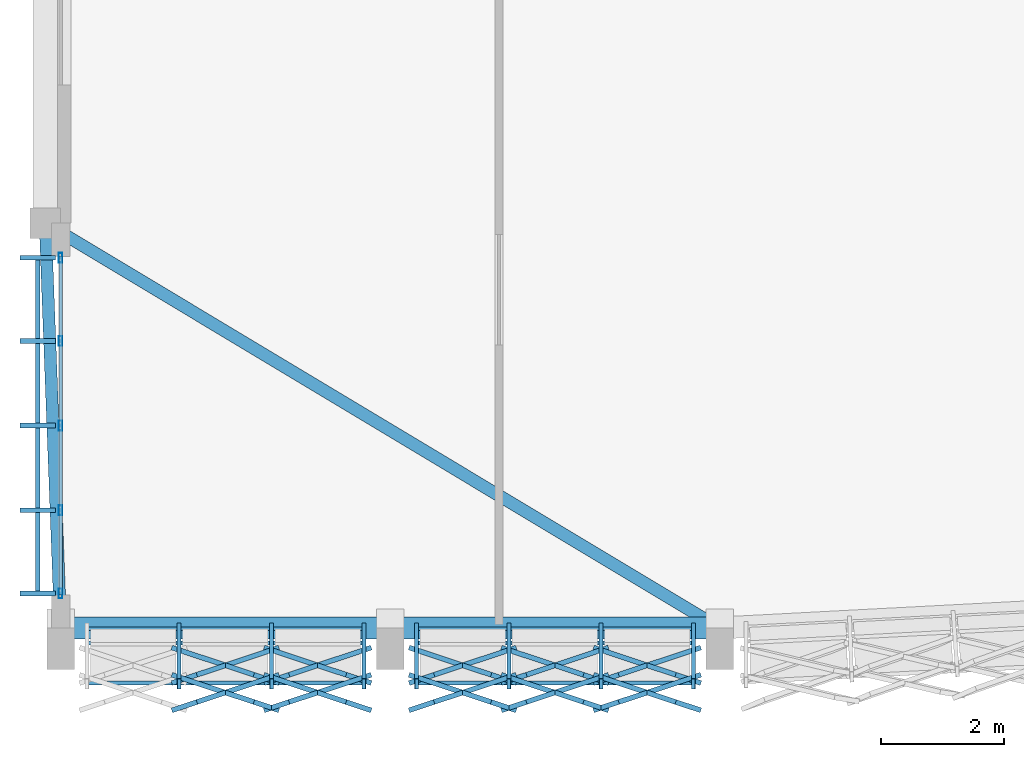
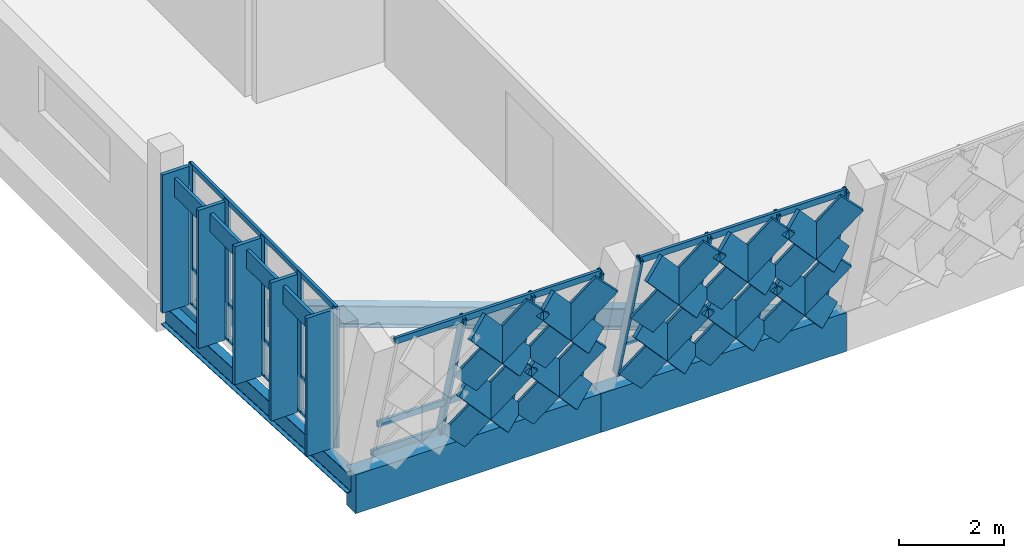
# One storey, part 2 of 24: 47 members, 4 beams, 3 elements without a shape of their own.
"""IFC4 building model written with IfcOpenShell, lengths in metres."""

from ifc_helpers import new_model, si_unit, direction, frame, origin, origin_2d, place, context, subcontext, project, spatial, rectangle, hollow_rectangle, i_section, extrude, material, material_profile, profile_set, type_object, element, aggregate, save


model = new_model("IFC4")

# Units and contexts
model_context = context("Model", 3, precision=1e-05, world=origin(), true_north=direction((0.0, 1.0)))
body_context = subcontext(model_context, "Body", "Model", "MODEL_VIEW")
ifc_project = project(units=[si_unit("LENGTHUNIT", "METRE"), si_unit("AREAUNIT", "SQUARE_METRE"), si_unit("VOLUMEUNIT", "CUBIC_METRE"), si_unit("PLANEANGLEUNIT", "RADIAN"), si_unit("MASSUNIT", "GRAM", prefix="KILO")], contexts=[model_context])

# Site, building, storey
site_placement = place(None, origin())
site = spatial("IfcSite", under=ifc_project, at=site_placement, CompositionType="ELEMENT")
building_placement = place(site_placement, origin())
building = spatial("IfcBuilding", under=site, at=building_placement, Name="Chiffa Square Polytechnic", CompositionType="ELEMENT")
storey_placement = place(building_placement, frame((0.0, 0.0, 26.39990234375)))
storey = spatial("IfcBuildingStorey", under=building, at=storey_placement, Name="L06", CompositionType="ELEMENT", Elevation=26.39990234375)

# Beams
ifc_material_1 = material(Name="Steel S355", Category="steel")
ifc_material_profile_1 = material_profile(ifc_material_1, i_section(OverallWidth=0.199951171875, OverallDepth=0.5, WebThickness=0.01025390625, FlangeThickness=0.01611328125, FilletRadius=0.02099609375, at=origin_2d()), Name="IPE 500")
ifc_profile_set_1 = profile_set([ifc_material_profile_1], Name="Steel S355")
beam_type_1 = type_object("IfcBeamType", Name="BM-STL-IPE500", PredefinedType="BEAM", material=ifc_profile_set_1)
beam_1_placement = place(storey_placement, frame((112.449951171875, 0.595947265625, -0.469970703125), z_axis=(-0.037828726775, 0.999284237557, 0.0), x_axis=(-0.999284237557, -0.037828726775, 0.0)))
element("IfcBeam", 1, at=beam_1_placement, inside=storey, type_object=beam_type_1, Name="Prow radial tie girder BM-V1-RAD-L06-01", PredefinedType="BEAM", context=body_context, shape_type="SweptSolid", body=[
    extrude(i_section(OverallWidth=0.199951171875, OverallDepth=0.5, WebThickness=0.01025390625, FlangeThickness=0.01611328125, FilletRadius=0.02099609375, at=origin_2d()), origin(), (0.0, 0.0, 1.0), 6.608642578125),
])
beam_2_placement = place(storey_placement, frame((123.199951171875, 0.595947265625, -0.469970703125), z_axis=(-0.857355217073, 0.514725200236, 0.0), x_axis=(-0.514725200236, -0.857355217073, 0.0)))
element("IfcBeam", 2, at=beam_2_placement, inside=storey, type_object=beam_type_1, Name="Prow radial tie girder BM-V1-RAD-L06-03", PredefinedType="BEAM", context=body_context, shape_type="SweptSolid", body=[
    extrude(i_section(OverallWidth=0.199951171875, OverallDepth=0.5, WebThickness=0.01025390625, FlangeThickness=0.01611328125, FilletRadius=0.02099609375, at=origin_2d()), origin(), (0.0, 0.0, 1.0), 12.830078125),
])

# Curtain wall, members
ifc_material_2 = material(Name="Aluminium EN AW-6060 T66 and glulam shading", Category="wood")
curtain_wall_type_1 = type_object("IfcCurtainWallType", Name="CW-VERT-450X380", PredefinedType="USERDEFINED", material=ifc_material_2)
curtain_wall_1_placement = place(storey_placement, origin())
curtain_wall_1 = element("IfcCurtainWall", 3, at=curtain_wall_1_placement, inside=storey, type_object=curtain_wall_type_1, Name="Curtain wall CW-V1-L06-146", ObjectType="CURTAIN WALL", PredefinedType="USERDEFINED")
ifc_material_3 = material(Name="Aluminium EN AW-6060 T66", Category="aluminium")
ifc_material_profile_2 = material_profile(ifc_material_3, hollow_rectangle(XDim=0.06005859375, YDim=0.159912109375, WallThickness=0.00390625, at=origin_2d()), Name="ALU 60x160x4")
ifc_profile_set_2 = profile_set([ifc_material_profile_2], Name="Aluminium EN AW-6060 T66")
member_type_1 = type_object("IfcMemberType", Name="CWM-ALU-65X150", PredefinedType="MULLION", material=ifc_profile_set_2)
member_1_placement = place(storey_placement, frame((112.449951171875, 6.635009765625, 0.0), z_axis=(0.0, 0.0, 1.0), x_axis=(1.0, 0.0, 0.0)))
member_1 = element("IfcMember", 4, at=member_1_placement, type_object=member_type_1, Name="Curtain wall mullion CW-V1-L06-146-M00", PredefinedType="MULLION", context=body_context, shape_type="SweptSolid", body=[
    extrude(hollow_rectangle(XDim=0.06005859375, YDim=0.159912109375, WallThickness=0.00390625, at=origin_2d()), origin(), (0.0, 0.0, 1.0), 3.22021484375),
])
member_2_placement = place(storey_placement, frame((112.449951171875, 5.279052734375, 0.0), z_axis=(0.0, 0.0, 1.0), x_axis=(1.0, 0.0, 0.0)))
member_2 = element("IfcMember", 5, at=member_2_placement, type_object=member_type_1, Name="Curtain wall mullion CW-V1-L06-146-M01", PredefinedType="MULLION", context=body_context, shape_type="SweptSolid", body=[
    extrude(hollow_rectangle(XDim=0.06005859375, YDim=0.159912109375, WallThickness=0.00390625, at=origin_2d()), origin(), (0.0, 0.0, 1.0), 3.22021484375),
])
member_3_placement = place(storey_placement, frame((112.449951171875, 3.89794921875, 0.0), z_axis=(0.0, 0.0, 1.0), x_axis=(1.0, 0.0, 0.0)))
member_3 = element("IfcMember", 6, at=member_3_placement, type_object=member_type_1, Name="Curtain wall mullion CW-V1-L06-146-M02", PredefinedType="MULLION", context=body_context, shape_type="SweptSolid", body=[
    extrude(hollow_rectangle(XDim=0.06005859375, YDim=0.159912109375, WallThickness=0.00390625, at=origin_2d()), origin(), (0.0, 0.0, 1.0), 3.22021484375),
])
member_4_placement = place(storey_placement, frame((112.449951171875, 2.51708984375, 0.0), z_axis=(0.0, 0.0, 1.0), x_axis=(1.0, 0.0, 0.0)))
member_4 = element("IfcMember", 7, at=member_4_placement, type_object=member_type_1, Name="Curtain wall mullion CW-V1-L06-146-M03", PredefinedType="MULLION", context=body_context, shape_type="SweptSolid", body=[
    extrude(hollow_rectangle(XDim=0.06005859375, YDim=0.159912109375, WallThickness=0.00390625, at=origin_2d()), origin(), (0.0, 0.0, 1.0), 3.22021484375),
])
member_5_placement = place(storey_placement, frame((112.449951171875, 1.160888671875, 0.0), z_axis=(0.0, 0.0, 1.0), x_axis=(1.0, 0.0, 0.0)))
member_5 = element("IfcMember", 8, at=member_5_placement, type_object=member_type_1, Name="Curtain wall mullion CW-V1-L06-146-M04", PredefinedType="MULLION", context=body_context, shape_type="SweptSolid", body=[
    extrude(hollow_rectangle(XDim=0.06005859375, YDim=0.159912109375, WallThickness=0.00390625, at=origin_2d()), origin(), (0.0, 0.0, 1.0), 3.22021484375),
])

curtain_wall_type_2 = type_object("IfcCurtainWallType", Name="CW-PROW-LEAN-150", PredefinedType="USERDEFINED", material=ifc_material_2)
curtain_wall_2_placement = place(storey_placement, origin())
curtain_wall_2 = element("IfcCurtainWall", 9, at=curtain_wall_2_placement, inside=storey, type_object=curtain_wall_type_2, Name="Outward-leaning diamond-fin prow curtain wall CW-V1-L06-095", ObjectType="CURTAIN WALL", PredefinedType="USERDEFINED")
ifc_material_profile_3 = material_profile(ifc_material_3, hollow_rectangle(XDim=0.06494140625, YDim=0.179931640625, WallThickness=0.00390625, at=origin_2d()), Name="ALU 65x180x4")
ifc_profile_set_3 = profile_set([ifc_material_profile_3], Name="Aluminium EN AW-6060 T66")
member_type_2 = type_object("IfcMemberType", Name="CWM-ALU-75X180", PredefinedType="MULLION", material=ifc_profile_set_3)
member_6_placement = place(storey_placement, frame((114.385009765625, 0.595947265625, 0.0), z_axis=(0.0, -0.27231736032, 0.962207490757), x_axis=(1.0, 0.0, 0.0)))
member_6 = element("IfcMember", 10, at=member_6_placement, type_object=member_type_2, Name="Leaning prow mullion CW-V1-L06-095-M01", PredefinedType="MULLION", context=body_context, shape_type="SweptSolid", body=[
    extrude(hollow_rectangle(XDim=0.06494140625, YDim=0.179931640625, WallThickness=0.00390625, at=origin_2d()), origin(), (0.0, 0.0, 1.0), 3.34130859375),
])
member_7_placement = place(storey_placement, frame((115.889892578125, 0.595947265625, 0.0), z_axis=(0.0, -0.27231736032, 0.962207490757), x_axis=(1.0, 0.0, 0.0)))
member_7 = element("IfcMember", 11, at=member_7_placement, type_object=member_type_2, Name="Leaning prow mullion CW-V1-L06-095-M02", PredefinedType="MULLION", context=body_context, shape_type="SweptSolid", body=[
    extrude(hollow_rectangle(XDim=0.06494140625, YDim=0.179931640625, WallThickness=0.00390625, at=origin_2d()), origin(), (0.0, 0.0, 1.0), 3.34130859375),
])
member_8_placement = place(storey_placement, frame((117.39501953125, 0.595947265625, 0.0), z_axis=(0.0, -0.27231736032, 0.962207490757), x_axis=(1.0, 0.0, 0.0)))
member_8 = element("IfcMember", 12, at=member_8_placement, type_object=member_type_2, Name="Leaning prow mullion CW-V1-L06-095-M03", PredefinedType="MULLION", context=body_context, shape_type="SweptSolid", body=[
    extrude(hollow_rectangle(XDim=0.06494140625, YDim=0.179931640625, WallThickness=0.00390625, at=origin_2d()), origin(), (0.0, 0.0, 1.0), 3.34130859375),
])

curtain_wall_type_3 = type_object("IfcCurtainWallType", Name="CW-PROW-LEAN-300", PredefinedType="USERDEFINED", material=ifc_material_2)
curtain_wall_3_placement = place(storey_placement, origin())
curtain_wall_3 = element("IfcCurtainWall", 13, at=curtain_wall_3_placement, inside=storey, type_object=curtain_wall_type_3, Name="Outward-leaning diamond-fin prow curtain wall CW-V1-L06-096", ObjectType="CURTAIN WALL", PredefinedType="USERDEFINED")
member_9_placement = place(storey_placement, frame((118.2548828125, 0.595947265625, 0.0), z_axis=(0.0, -0.27231736032, 0.962207490757), x_axis=(1.0, 0.0, 0.0)))
member_9 = element("IfcMember", 14, at=member_9_placement, type_object=member_type_2, Name="Leaning prow mullion CW-V1-L06-096-M00", PredefinedType="MULLION", context=body_context, shape_type="SweptSolid", body=[
    extrude(hollow_rectangle(XDim=0.06494140625, YDim=0.179931640625, WallThickness=0.00390625, at=origin_2d()), origin(), (0.0, 0.0, 1.0), 3.34130859375),
])
member_10_placement = place(storey_placement, frame((119.760009765625, 0.595947265625, 0.0), z_axis=(0.0, -0.27231736032, 0.962207490757), x_axis=(1.0, 0.0, 0.0)))
member_10 = element("IfcMember", 15, at=member_10_placement, type_object=member_type_2, Name="Leaning prow mullion CW-V1-L06-096-M01", PredefinedType="MULLION", context=body_context, shape_type="SweptSolid", body=[
    extrude(hollow_rectangle(XDim=0.06494140625, YDim=0.179931640625, WallThickness=0.00390625, at=origin_2d()), origin(), (0.0, 0.0, 1.0), 3.34130859375),
])
member_11_placement = place(storey_placement, frame((121.264892578125, 0.595947265625, 0.0), z_axis=(0.0, -0.27231736032, 0.962207490757), x_axis=(1.0, 0.0, 0.0)))
member_11 = element("IfcMember", 16, at=member_11_placement, type_object=member_type_2, Name="Leaning prow mullion CW-V1-L06-096-M02", PredefinedType="MULLION", context=body_context, shape_type="SweptSolid", body=[
    extrude(hollow_rectangle(XDim=0.06494140625, YDim=0.179931640625, WallThickness=0.00390625, at=origin_2d()), origin(), (0.0, 0.0, 1.0), 3.34130859375),
])
member_12_placement = place(storey_placement, frame((122.77001953125, 0.595947265625, 0.0), z_axis=(0.0, -0.27231736032, 0.962207490757), x_axis=(1.0, 0.0, 0.0)))
member_12 = element("IfcMember", 17, at=member_12_placement, type_object=member_type_2, Name="Leaning prow mullion CW-V1-L06-096-M03", PredefinedType="MULLION", context=body_context, shape_type="SweptSolid", body=[
    extrude(hollow_rectangle(XDim=0.06494140625, YDim=0.179931640625, WallThickness=0.00390625, at=origin_2d()), origin(), (0.0, 0.0, 1.0), 3.34130859375),
])

# Member
ifc_material_4 = material(Name="Glulam GL28h", Category="wood")
ifc_material_profile_4 = material_profile(ifc_material_4, rectangle(XDim=0.080078125, YDim=0.580078125, at=origin_2d()), Name="GL28h 80x580")
ifc_profile_set_4 = profile_set([ifc_material_profile_4], Name="Glulam GL28h")
member_type_3 = type_object("IfcMemberType", Name="CWM-GL-80X580", PredefinedType="MULLION", material=ifc_profile_set_4)
member_13_placement = place(storey_placement, frame((114.468017578125, 0.2099609375, 0.0400390625), z_axis=(0.634787239508, -0.210438220537, 0.743478927674), x_axis=(0.314669569552, 0.949201275809, 0.0)))
member_13 = element("IfcMember", 18, at=member_13_placement, type_object=member_type_3, Name="Diamond glulam fin CW-V1-L06-095-DF03A", PredefinedType="MULLION", context=body_context, shape_type="SweptSolid", body=[
    extrude(rectangle(XDim=0.080078125, YDim=0.580078125, at=origin_2d()), origin(), (0.0, 0.0, 1.0), 2.109130859375),
])

member_14_placement = place(storey_placement, frame((115.806884765625, 0.2099609375, 0.0400390625), z_axis=(-0.634787239508, -0.210438220537, 0.743478927674), x_axis=(0.314669569552, -0.949201275809, 0.0)))
member_14 = element("IfcMember", 19, at=member_14_placement, type_object=member_type_3, Name="Diamond glulam fin CW-V1-L06-095-DF03B", PredefinedType="MULLION", context=body_context, shape_type="SweptSolid", body=[
    extrude(rectangle(XDim=0.080078125, YDim=0.580078125, at=origin_2d()), origin(), (0.0, 0.0, 1.0), 2.109130859375),
])

member_15_placement = place(storey_placement, frame((114.468017578125, -0.23388671875, 1.608154296875), z_axis=(0.635044970912, -0.210639460629, 0.743201791268), x_axis=(0.314825503979, 0.949149567795, 0.0)))
member_15 = element("IfcMember", 20, at=member_15_placement, type_object=member_type_3, Name="Diamond glulam fin CW-V1-L06-095-DF04A", PredefinedType="MULLION", context=body_context, shape_type="SweptSolid", body=[
    extrude(rectangle(XDim=0.080078125, YDim=0.580078125, at=origin_2d()), origin(), (0.0, 0.0, 1.0), 2.1083984375),
])

member_16_placement = place(storey_placement, frame((115.806884765625, -0.23388671875, 1.608154296875), z_axis=(-0.635044970912, -0.210639460629, 0.743201791268), x_axis=(0.314825503979, -0.949149567795, 0.0)))
member_16 = element("IfcMember", 21, at=member_16_placement, type_object=member_type_3, Name="Diamond glulam fin CW-V1-L06-095-DF04B", PredefinedType="MULLION", context=body_context, shape_type="SweptSolid", body=[
    extrude(rectangle(XDim=0.080078125, YDim=0.580078125, at=origin_2d()), origin(), (0.0, 0.0, 1.0), 2.1083984375),
])

member_17_placement = place(storey_placement, frame((115.972900390625, 0.2099609375, 0.0400390625), z_axis=(0.634856341419, -0.210422758195, 0.743424299168), x_axis=(0.314617879555, 0.94921840999, 0.0)))
member_17 = element("IfcMember", 22, at=member_17_placement, type_object=member_type_3, Name="Diamond glulam fin CW-V1-L06-095-DF05A", PredefinedType="MULLION", context=body_context, shape_type="SweptSolid", body=[
    extrude(rectangle(XDim=0.080078125, YDim=0.580078125, at=origin_2d()), origin(), (0.0, 0.0, 1.0), 2.109375),
])

member_18_placement = place(storey_placement, frame((117.31201171875, 0.2099609375, 0.0400390625), z_axis=(-0.634856341419, -0.210422758195, 0.743424299168), x_axis=(0.314617879555, -0.94921840999, 0.0)))
member_18 = element("IfcMember", 23, at=member_18_placement, type_object=member_type_3, Name="Diamond glulam fin CW-V1-L06-095-DF05B", PredefinedType="MULLION", context=body_context, shape_type="SweptSolid", body=[
    extrude(rectangle(XDim=0.080078125, YDim=0.580078125, at=origin_2d()), origin(), (0.0, 0.0, 1.0), 2.109375),
])

member_19_placement = place(storey_placement, frame((115.972900390625, -0.23388671875, 1.608154296875), z_axis=(0.635114062979, -0.210623970932, 0.743147138779), x_axis=(0.314773794, 0.949166718027, 0.0)))
member_19 = element("IfcMember", 24, at=member_19_placement, type_object=member_type_3, Name="Diamond glulam fin CW-V1-L06-095-DF06A", PredefinedType="MULLION", context=body_context, shape_type="SweptSolid", body=[
    extrude(rectangle(XDim=0.080078125, YDim=0.580078125, at=origin_2d()), origin(), (0.0, 0.0, 1.0), 2.1083984375),
])

member_20_placement = place(storey_placement, frame((117.31201171875, -0.23388671875, 1.608154296875), z_axis=(-0.635114062979, -0.210623970932, 0.743147138779), x_axis=(0.314773794, -0.949166718027, 0.0)))
member_20 = element("IfcMember", 25, at=member_20_placement, type_object=member_type_3, Name="Diamond glulam fin CW-V1-L06-095-DF06B", PredefinedType="MULLION", context=body_context, shape_type="SweptSolid", body=[
    extrude(rectangle(XDim=0.080078125, YDim=0.580078125, at=origin_2d()), origin(), (0.0, 0.0, 1.0), 2.1083984375),
])

member_21_placement = place(storey_placement, frame((118.337890625, 0.2099609375, 0.0400390625), z_axis=(0.634856341419, -0.210422758195, 0.743424299168), x_axis=(0.314617879555, 0.94921840999, 0.0)))
member_21 = element("IfcMember", 26, at=member_21_placement, type_object=member_type_3, Name="Diamond glulam fin CW-V1-L06-096-DF01A", PredefinedType="MULLION", context=body_context, shape_type="SweptSolid", body=[
    extrude(rectangle(XDim=0.080078125, YDim=0.580078125, at=origin_2d()), origin(), (0.0, 0.0, 1.0), 2.109375),
])

member_22_placement = place(storey_placement, frame((119.677001953125, 0.2099609375, 0.0400390625), z_axis=(-0.634856341419, -0.210422758195, 0.743424299168), x_axis=(0.314617879555, -0.94921840999, 0.0)))
member_22 = element("IfcMember", 27, at=member_22_placement, type_object=member_type_3, Name="Diamond glulam fin CW-V1-L06-096-DF01B", PredefinedType="MULLION", context=body_context, shape_type="SweptSolid", body=[
    extrude(rectangle(XDim=0.080078125, YDim=0.580078125, at=origin_2d()), origin(), (0.0, 0.0, 1.0), 2.109375),
])

member_23_placement = place(storey_placement, frame((118.337890625, -0.23388671875, 1.608154296875), z_axis=(0.635114062979, -0.210623970932, 0.743147138779), x_axis=(0.314773794, 0.949166718027, 0.0)))
member_23 = element("IfcMember", 28, at=member_23_placement, type_object=member_type_3, Name="Diamond glulam fin CW-V1-L06-096-DF02A", PredefinedType="MULLION", context=body_context, shape_type="SweptSolid", body=[
    extrude(rectangle(XDim=0.080078125, YDim=0.580078125, at=origin_2d()), origin(), (0.0, 0.0, 1.0), 2.1083984375),
])

member_24_placement = place(storey_placement, frame((119.677001953125, -0.23388671875, 1.608154296875), z_axis=(-0.635114062979, -0.210623970932, 0.743147138779), x_axis=(0.314773794, -0.949166718027, 0.0)))
member_24 = element("IfcMember", 29, at=member_24_placement, type_object=member_type_3, Name="Diamond glulam fin CW-V1-L06-096-DF02B", PredefinedType="MULLION", context=body_context, shape_type="SweptSolid", body=[
    extrude(rectangle(XDim=0.080078125, YDim=0.580078125, at=origin_2d()), origin(), (0.0, 0.0, 1.0), 2.1083984375),
])

member_25_placement = place(storey_placement, frame((119.843017578125, 0.2099609375, 0.0400390625), z_axis=(0.634787239508, -0.210438220537, 0.743478927674), x_axis=(0.314669569552, 0.949201275809, 0.0)))
member_25 = element("IfcMember", 30, at=member_25_placement, type_object=member_type_3, Name="Diamond glulam fin CW-V1-L06-096-DF03A", PredefinedType="MULLION", context=body_context, shape_type="SweptSolid", body=[
    extrude(rectangle(XDim=0.080078125, YDim=0.580078125, at=origin_2d()), origin(), (0.0, 0.0, 1.0), 2.109130859375),
])

member_26_placement = place(storey_placement, frame((121.181884765625, 0.2099609375, 0.0400390625), z_axis=(-0.634787239508, -0.210438220537, 0.743478927674), x_axis=(0.314669569552, -0.949201275809, 0.0)))
member_26 = element("IfcMember", 31, at=member_26_placement, type_object=member_type_3, Name="Diamond glulam fin CW-V1-L06-096-DF03B", PredefinedType="MULLION", context=body_context, shape_type="SweptSolid", body=[
    extrude(rectangle(XDim=0.080078125, YDim=0.580078125, at=origin_2d()), origin(), (0.0, 0.0, 1.0), 2.109130859375),
])

member_27_placement = place(storey_placement, frame((119.843017578125, -0.23388671875, 1.608154296875), z_axis=(0.635044970912, -0.210639460629, 0.743201791268), x_axis=(0.314825503979, 0.949149567795, 0.0)))
member_27 = element("IfcMember", 32, at=member_27_placement, type_object=member_type_3, Name="Diamond glulam fin CW-V1-L06-096-DF04A", PredefinedType="MULLION", context=body_context, shape_type="SweptSolid", body=[
    extrude(rectangle(XDim=0.080078125, YDim=0.580078125, at=origin_2d()), origin(), (0.0, 0.0, 1.0), 2.1083984375),
])

member_28_placement = place(storey_placement, frame((121.181884765625, -0.23388671875, 1.608154296875), z_axis=(-0.635044970912, -0.210639460629, 0.743201791268), x_axis=(0.314825503979, -0.949149567795, 0.0)))
member_28 = element("IfcMember", 33, at=member_28_placement, type_object=member_type_3, Name="Diamond glulam fin CW-V1-L06-096-DF04B", PredefinedType="MULLION", context=body_context, shape_type="SweptSolid", body=[
    extrude(rectangle(XDim=0.080078125, YDim=0.580078125, at=origin_2d()), origin(), (0.0, 0.0, 1.0), 2.1083984375),
])

member_29_placement = place(storey_placement, frame((121.347900390625, 0.2099609375, 0.0400390625), z_axis=(0.634856341419, -0.210422758195, 0.743424299168), x_axis=(0.314617879555, 0.94921840999, 0.0)))
member_29 = element("IfcMember", 34, at=member_29_placement, type_object=member_type_3, Name="Diamond glulam fin CW-V1-L06-096-DF05A", PredefinedType="MULLION", context=body_context, shape_type="SweptSolid", body=[
    extrude(rectangle(XDim=0.080078125, YDim=0.580078125, at=origin_2d()), origin(), (0.0, 0.0, 1.0), 2.109375),
])

member_30_placement = place(storey_placement, frame((122.68701171875, 0.2099609375, 0.0400390625), z_axis=(-0.634856341419, -0.210422758195, 0.743424299168), x_axis=(0.314617879555, -0.94921840999, 0.0)))
member_30 = element("IfcMember", 35, at=member_30_placement, type_object=member_type_3, Name="Diamond glulam fin CW-V1-L06-096-DF05B", PredefinedType="MULLION", context=body_context, shape_type="SweptSolid", body=[
    extrude(rectangle(XDim=0.080078125, YDim=0.580078125, at=origin_2d()), origin(), (0.0, 0.0, 1.0), 2.109375),
])

member_31_placement = place(storey_placement, frame((121.347900390625, -0.23388671875, 1.608154296875), z_axis=(0.635114062979, -0.210623970932, 0.743147138779), x_axis=(0.314773794, 0.949166718027, 0.0)))
member_31 = element("IfcMember", 36, at=member_31_placement, type_object=member_type_3, Name="Diamond glulam fin CW-V1-L06-096-DF06A", PredefinedType="MULLION", context=body_context, shape_type="SweptSolid", body=[
    extrude(rectangle(XDim=0.080078125, YDim=0.580078125, at=origin_2d()), origin(), (0.0, 0.0, 1.0), 2.1083984375),
])

member_32_placement = place(storey_placement, frame((122.68701171875, -0.23388671875, 1.608154296875), z_axis=(-0.635114062979, -0.210623970932, 0.743147138779), x_axis=(0.314773794, -0.949166718027, 0.0)))
member_32 = element("IfcMember", 37, at=member_32_placement, type_object=member_type_3, Name="Diamond glulam fin CW-V1-L06-096-DF06B", PredefinedType="MULLION", context=body_context, shape_type="SweptSolid", body=[
    extrude(rectangle(XDim=0.080078125, YDim=0.580078125, at=origin_2d()), origin(), (0.0, 0.0, 1.0), 2.1083984375),
])

member_33_placement = place(storey_placement, frame((112.077880859375, 6.635009765625, 0.010009765625), z_axis=(0.0, 0.0, 1.0), x_axis=(0.0, -1.0, 0.0)))
member_33 = element("IfcMember", 38, at=member_33_placement, type_object=member_type_3, Name="Exterior glulam solar fin CW-V1-L06-146-FN00", PredefinedType="MULLION", context=body_context, shape_type="SweptSolid", body=[
    extrude(rectangle(XDim=0.080078125, YDim=0.580078125, at=origin_2d()), origin(), (0.0, 0.0, 1.0), 3.2001953125),
])

member_34_placement = place(storey_placement, frame((112.077880859375, 5.279052734375, 0.010009765625), z_axis=(0.0, 0.0, 1.0), x_axis=(0.0, -1.0, 0.0)))
member_34 = element("IfcMember", 39, at=member_34_placement, type_object=member_type_3, Name="Exterior glulam solar fin CW-V1-L06-146-FN01", PredefinedType="MULLION", context=body_context, shape_type="SweptSolid", body=[
    extrude(rectangle(XDim=0.080078125, YDim=0.580078125, at=origin_2d()), origin(), (0.0, 0.0, 1.0), 3.2001953125),
])

member_35_placement = place(storey_placement, frame((112.077880859375, 3.89794921875, 0.010009765625), z_axis=(0.0, 0.0, 1.0), x_axis=(0.0, -1.0, 0.0)))
member_35 = element("IfcMember", 40, at=member_35_placement, type_object=member_type_3, Name="Exterior glulam solar fin CW-V1-L06-146-FN02", PredefinedType="MULLION", context=body_context, shape_type="SweptSolid", body=[
    extrude(rectangle(XDim=0.080078125, YDim=0.580078125, at=origin_2d()), origin(), (0.0, 0.0, 1.0), 3.2001953125),
])

member_36_placement = place(storey_placement, frame((112.077880859375, 2.51708984375, 0.010009765625), z_axis=(0.0, 0.0, 1.0), x_axis=(0.0, -1.0, 0.0)))
member_36 = element("IfcMember", 41, at=member_36_placement, type_object=member_type_3, Name="Exterior glulam solar fin CW-V1-L06-146-FN03", PredefinedType="MULLION", context=body_context, shape_type="SweptSolid", body=[
    extrude(rectangle(XDim=0.080078125, YDim=0.580078125, at=origin_2d()), origin(), (0.0, 0.0, 1.0), 3.2001953125),
])

member_37_placement = place(storey_placement, frame((112.077880859375, 1.160888671875, 0.010009765625), z_axis=(0.0, 0.0, 1.0), x_axis=(0.0, -1.0, 0.0)))
member_37 = element("IfcMember", 42, at=member_37_placement, type_object=member_type_3, Name="Exterior glulam solar fin CW-V1-L06-146-FN04", PredefinedType="MULLION", context=body_context, shape_type="SweptSolid", body=[
    extrude(rectangle(XDim=0.080078125, YDim=0.580078125, at=origin_2d()), origin(), (0.0, 0.0, 1.0), 3.2001953125),
])

ifc_material_profile_5 = material_profile(ifc_material_3, hollow_rectangle(XDim=0.06005859375, YDim=0.1201171875, WallThickness=0.00390625, at=origin_2d()), Name="ALU 60x120x4")
ifc_profile_set_5 = profile_set([ifc_material_profile_5], Name="Aluminium EN AW-6060 T66")
member_type_4 = type_object("IfcMemberType", Name="CWT-ALU-65X120", PredefinedType="USERDEFINED", material=ifc_profile_set_5)
member_38_placement = place(storey_placement, frame((112.449951171875, 6.662109375, 0.030029296875), z_axis=(0.0, -1.0, 0.0), x_axis=(1.0, 0.0, 0.0)))
member_38 = element("IfcMember", 43, at=member_38_placement, type_object=member_type_4, Name="Curtain wall transom CW-V1-L06-146-T01", ObjectType="TRANSOM", PredefinedType="USERDEFINED", context=body_context, shape_type="SweptSolid", body=[
    extrude(hollow_rectangle(XDim=0.06005859375, YDim=0.1201171875, WallThickness=0.00390625, at=origin_2d()), origin(), (0.0, 0.0, 1.0), 5.528076171875),
])

member_39_placement = place(storey_placement, frame((112.449951171875, 6.662109375, 0.820068359375), z_axis=(0.0, -1.0, 0.0), x_axis=(1.0, 0.0, 0.0)))
member_39 = element("IfcMember", 44, at=member_39_placement, type_object=member_type_4, Name="Curtain wall transom CW-V1-L06-146-T02", ObjectType="TRANSOM", PredefinedType="USERDEFINED", context=body_context, shape_type="SweptSolid", body=[
    extrude(hollow_rectangle(XDim=0.06005859375, YDim=0.1201171875, WallThickness=0.00390625, at=origin_2d()), origin(), (0.0, 0.0, 1.0), 5.528076171875),
])

member_40_placement = place(storey_placement, frame((112.449951171875, 6.662109375, 3.190185546875), z_axis=(0.0, -1.0, 0.0), x_axis=(1.0, 0.0, 0.0)))
member_40 = element("IfcMember", 45, at=member_40_placement, type_object=member_type_4, Name="Curtain wall transom CW-V1-L06-146-T03", ObjectType="TRANSOM", PredefinedType="USERDEFINED", context=body_context, shape_type="SweptSolid", body=[
    extrude(hollow_rectangle(XDim=0.06005859375, YDim=0.1201171875, WallThickness=0.00390625, at=origin_2d()), origin(), (0.0, 0.0, 1.0), 5.528076171875),
])

ifc_material_profile_6 = material_profile(ifc_material_3, hollow_rectangle(XDim=0.06494140625, YDim=0.139892578125, WallThickness=0.00390625, at=origin_2d()), Name="ALU 65x140x4")
ifc_profile_set_6 = profile_set([ifc_material_profile_6], Name="Aluminium EN AW-6060 T66")
member_type_5 = type_object("IfcMemberType", Name="CWT-ALU-75X140", PredefinedType="USERDEFINED", material=ifc_profile_set_6)
member_41_placement = place(storey_placement, frame((112.8798828125, 0.584716796875, 0.0400390625), z_axis=(1.0, 0.0, 0.0), x_axis=(0.0, 1.0, 0.0)))
member_41 = element("IfcMember", 46, at=member_41_placement, type_object=member_type_5, Name="Leaning prow transom CW-V1-L06-095-T01", ObjectType="TRANSOM", PredefinedType="USERDEFINED", context=body_context, shape_type="SweptSolid", body=[
    extrude(hollow_rectangle(XDim=0.06494140625, YDim=0.139892578125, WallThickness=0.00390625, at=origin_2d()), origin(), (0.0, 0.0, 1.0), 4.51513671875),
])

member_42_placement = place(storey_placement, frame((112.8798828125, 0.35546875, 0.85009765625), z_axis=(1.0, 0.0, 0.0), x_axis=(0.0, 1.0, 0.0)))
member_42 = element("IfcMember", 47, at=member_42_placement, type_object=member_type_5, Name="Leaning prow transom CW-V1-L06-095-T02", ObjectType="TRANSOM", PredefinedType="USERDEFINED", context=body_context, shape_type="SweptSolid", body=[
    extrude(hollow_rectangle(XDim=0.06494140625, YDim=0.139892578125, WallThickness=0.00390625, at=origin_2d()), origin(), (0.0, 0.0, 1.0), 4.51513671875),
])

member_43_placement = place(storey_placement, frame((112.8798828125, -0.302734375, 3.175048828125), z_axis=(1.0, 0.0, 0.0), x_axis=(0.0, 1.0, 0.0)))
member_43 = element("IfcMember", 48, at=member_43_placement, type_object=member_type_5, Name="Leaning prow transom CW-V1-L06-095-T03", ObjectType="TRANSOM", PredefinedType="USERDEFINED", context=body_context, shape_type="SweptSolid", body=[
    extrude(hollow_rectangle(XDim=0.06494140625, YDim=0.139892578125, WallThickness=0.00390625, at=origin_2d()), origin(), (0.0, 0.0, 1.0), 4.51513671875),
])

aggregate(curtain_wall_2, [member_6, member_7, member_8, member_41, member_42, member_43, member_13, member_14, member_15, member_16, member_17, member_18, member_19, member_20])

member_44_placement = place(storey_placement, frame((118.2548828125, 0.584716796875, 0.0400390625), z_axis=(1.0, 0.0, 0.0), x_axis=(0.0, 1.0, 0.0)))
member_44 = element("IfcMember", 49, at=member_44_placement, type_object=member_type_5, Name="Leaning prow transom CW-V1-L06-096-T01", ObjectType="TRANSOM", PredefinedType="USERDEFINED", context=body_context, shape_type="SweptSolid", body=[
    extrude(hollow_rectangle(XDim=0.06494140625, YDim=0.139892578125, WallThickness=0.00390625, at=origin_2d()), origin(), (0.0, 0.0, 1.0), 4.51513671875),
])

member_45_placement = place(storey_placement, frame((118.2548828125, 0.35546875, 0.85009765625), z_axis=(1.0, 0.0, 0.0), x_axis=(0.0, 1.0, 0.0)))
member_45 = element("IfcMember", 50, at=member_45_placement, type_object=member_type_5, Name="Leaning prow transom CW-V1-L06-096-T02", ObjectType="TRANSOM", PredefinedType="USERDEFINED", context=body_context, shape_type="SweptSolid", body=[
    extrude(hollow_rectangle(XDim=0.06494140625, YDim=0.139892578125, WallThickness=0.00390625, at=origin_2d()), origin(), (0.0, 0.0, 1.0), 4.51513671875),
])

member_46_placement = place(storey_placement, frame((118.2548828125, -0.302734375, 3.175048828125), z_axis=(1.0, 0.0, 0.0), x_axis=(0.0, 1.0, 0.0)))
member_46 = element("IfcMember", 51, at=member_46_placement, type_object=member_type_5, Name="Leaning prow transom CW-V1-L06-096-T03", ObjectType="TRANSOM", PredefinedType="USERDEFINED", context=body_context, shape_type="SweptSolid", body=[
    extrude(hollow_rectangle(XDim=0.06494140625, YDim=0.139892578125, WallThickness=0.00390625, at=origin_2d()), origin(), (0.0, 0.0, 1.0), 4.51513671875),
])

aggregate(curtain_wall_3, [member_9, member_10, member_11, member_12, member_44, member_45, member_46, member_21, member_22, member_23, member_24, member_25, member_26, member_27, member_28, member_29, member_30, member_31, member_32])

ifc_material_profile_7 = material_profile(ifc_material_4, rectangle(XDim=0.070068359375, YDim=0.419921875, at=origin_2d()), Name="GL28h 70x420")
ifc_profile_set_7 = profile_set([ifc_material_profile_7], Name="Glulam GL28h")
member_type_6 = type_object("IfcMemberType", Name="CWT-GL-70X420", PredefinedType="USERDEFINED", material=ifc_profile_set_7)
member_47_placement = place(storey_placement, frame((112.077880859375, 6.635009765625, 2.840087890625), z_axis=(0.0, -1.0, 0.0), x_axis=(1.0, 0.0, 0.0)))
member_47 = element("IfcMember", 52, at=member_47_placement, type_object=member_type_6, Name="Exterior glulam brise-soleil CW-V1-L06-146-BS01", ObjectType="TRANSOM", PredefinedType="USERDEFINED", context=body_context, shape_type="SweptSolid", body=[
    extrude(rectangle(XDim=0.070068359375, YDim=0.419921875, at=origin_2d()), origin(), (0.0, 0.0, 1.0), 5.47412109375),
])

aggregate(curtain_wall_1, [member_1, member_33, member_2, member_34, member_3, member_35, member_4, member_36, member_5, member_37, member_38, member_39, member_40, member_47])

# Beams
ifc_material_5 = material(Name="Glulam GL32c", Category="wood")
ifc_material_profile_8 = material_profile(ifc_material_5, rectangle(XDim=0.360107421875, YDim=0.89990234375, at=origin_2d()), Name="GL32c 360x900")
ifc_profile_set_8 = profile_set([ifc_material_profile_8], Name="Glulam GL32c")
beam_type_2 = type_object("IfcBeamType", Name="RB-GL-360X900", PredefinedType="SPANDREL", material=ifc_profile_set_8)
for number, where, z_axis, x_axis, name in (
    (53, (112.449951171875, 0.595947265625, -0.669921875), (1.0, 0.0, 0.0), (0.0, 1.0, 0.0), "Prow perimeter edge beam RB-V1-PROW-L06-01"),
    (54, (117.824951171875, 0.595947265625, -0.669921875), (1.0, 0.0, 0.0), (0.0, 1.0, 0.0), "Prow perimeter edge beam RB-V1-PROW-L06-02"),
):
    element("IfcBeam", number, at=place(storey_placement, frame(where, z_axis=z_axis, x_axis=x_axis)), inside=storey, type_object=beam_type_2, Name=name, PredefinedType="SPANDREL", context=body_context, shape_type="SweptSolid", body=[
        extrude(rectangle(XDim=0.360107421875, YDim=0.89990234375, at=origin_2d()), origin(), (0.0, 0.0, 1.0), 5.375),
    ])

save(model, "model.ifc")
